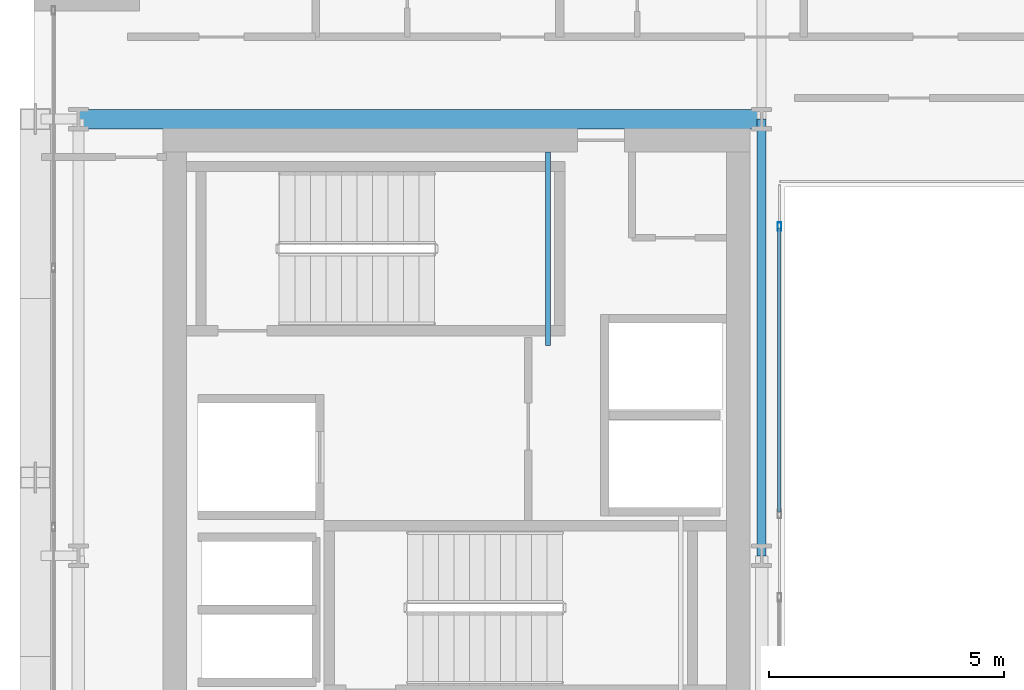
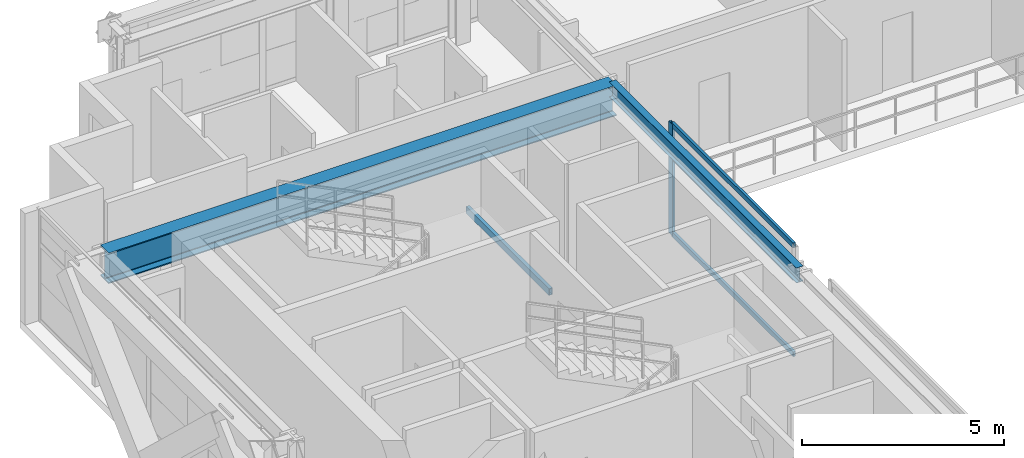
# One storey, part 11 of 37: 4 members, 3 beams, 1 element without a shape of its own.
"""IFC4 building model written with IfcOpenShell, lengths in metres."""

from ifc_helpers import new_model, si_unit, direction, frame, origin, origin_2d, place, context, subcontext, project, spatial, hollow_rectangle, i_section, extrude, source, transform, mapped, material, layer, layer_set, material_profile, profile_set, type_object, element, aggregate, save


model = new_model("IFC4")

# Units and contexts
model_context = context("Model", 3, precision=1e-05, world=origin(), true_north=direction((0.0, 1.0)))
body_context = subcontext(model_context, "Body", "Model", "MODEL_VIEW")
ifc_project = project(units=[si_unit("LENGTHUNIT", "METRE"), si_unit("AREAUNIT", "SQUARE_METRE"), si_unit("VOLUMEUNIT", "CUBIC_METRE"), si_unit("PLANEANGLEUNIT", "RADIAN"), si_unit("MASSUNIT", "GRAM", prefix="KILO")], contexts=[model_context])

# Site, building, storey
site_placement = place(None, origin())
site = spatial("IfcSite", under=ifc_project, at=site_placement, CompositionType="ELEMENT")
building_placement = place(site_placement, origin())
building = spatial("IfcBuilding", under=site, at=building_placement, Name="Ocotamira Hotel", CompositionType="ELEMENT")
storey_placement = place(building_placement, frame((0.0, 0.0, 192.0)))
storey = spatial("IfcBuildingStorey", under=building, at=storey_placement, Name="L48", CompositionType="ELEMENT", Elevation=192.0)

# Beams
ifc_material_1 = material(Name="Steel ASTM A500 Grade C", Category="steel")
ifc_material_profile_1 = material_profile(ifc_material_1, hollow_rectangle(XDim=0.10009765625, YDim=0.199951171875, WallThickness=0.008056640625, at=origin_2d()), Name="HSS200X100X8")
ifc_profile_set_1 = profile_set([ifc_material_profile_1], Name="Steel ASTM A500 Grade C")
beam_type_1 = type_object("IfcBeamType", Name="BM-STLDG-HSS200", PredefinedType="BEAM", material=ifc_profile_set_1)
shared_shape_1 = source(origin(), body_context, "Body", "SweptSolid", [
    extrude(hollow_rectangle(XDim=0.10009765625, YDim=0.199951171875, WallThickness=0.008056640625, at=origin_2d()), origin(), (0.0, 0.0, 1.0), 4.1201171875),
])
beam_1_placement = place(storey_placement, frame((18.949951171875, 32.6298828125, 1.5), z_axis=(0.0, 1.0, 0.0), x_axis=(-1.0, 0.0, 0.0)))
element("IfcBeam", 1, at=beam_1_placement, inside=storey, type_object=beam_type_1, Name="L48 Stair ST-2 Landing Bearer 1", PredefinedType="BEAM", context=body_context, shape_type="MappedRepresentation", body=[
    mapped(shared_shape_1, transform((0.0, 0.0, 0.0), scale=1.0)),
])
ifc_material_2 = material(Name="Steel ASTM A992 Grade 50", Category="steel")
ifc_material_profile_2 = material_profile(ifc_material_2, i_section(OverallWidth=0.41796875, OverallDepth=0.927001953125, WebThickness=0.019287109375, FlangeThickness=0.031982421875, FilletRadius=0.02392578125, at=origin_2d()), Name="W36X231")
ifc_profile_set_2 = profile_set([ifc_material_profile_2], Name="Steel ASTM A992 Grade 50")
beam_type_2 = type_object("IfcBeamType", Name="BM-GIRD-W36X231", PredefinedType="BEAM", material=ifc_profile_set_2)
shared_shape_2 = source(origin(), body_context, "Body", "SweptSolid", [
    extrude(i_section(OverallWidth=0.41796875, OverallDepth=0.927001953125, WebThickness=0.019287109375, FlangeThickness=0.031982421875, FilletRadius=0.02392578125, at=origin_2d()), origin(), (0.0, 0.0, 1.0), 14.550048828125),
])
beam_2_placement = place(storey_placement, frame((8.949951171875, 37.449951171875, 2.906494140625), z_axis=(1.0, 0.0, 0.0), x_axis=(0.0, 1.0, 0.0)))
element("IfcBeam", 2, at=beam_2_placement, inside=storey, type_object=beam_type_2, Name="L48 Girder Y37.45 X8.95-23.5", PredefinedType="BEAM", context=body_context, shape_type="MappedRepresentation", body=[
    mapped(shared_shape_2, transform((0.0, 0.0, 0.0), scale=1.0)),
])
ifc_material_profile_3 = material_profile(ifc_material_2, i_section(OverallWidth=0.18994140625, OverallDepth=0.45703125, WebThickness=0.009033203125, FlangeThickness=0.014404296875, FilletRadius=0.010009765625, at=origin_2d()), Name="W18X50")
ifc_profile_set_3 = profile_set([ifc_material_profile_3], Name="Steel ASTM A992 Grade 50")
beam_type_3 = type_object("IfcBeamType", Name="BM-SEC-W18X50", PredefinedType="JOIST", material=ifc_profile_set_3)
shared_shape_3 = source(origin(), body_context, "Body", "SweptSolid", [
    extrude(i_section(OverallWidth=0.18994140625, OverallDepth=0.45703125, WebThickness=0.009033203125, FlangeThickness=0.014404296875, FilletRadius=0.010009765625, at=origin_2d()), origin(), (0.0, 0.0, 1.0), 9.300048828125),
])
beam_3_placement = place(storey_placement, frame((23.5, 28.14990234375, 3.1416015625), z_axis=(0.0, 1.0, 0.0), x_axis=(-1.0, 0.0, 0.0)))
element("IfcBeam", 3, at=beam_3_placement, inside=storey, type_object=beam_type_3, Name="L48 Beam X23.5 Y28.15-37.45", PredefinedType="JOIST", context=body_context, shape_type="MappedRepresentation", body=[
    mapped(shared_shape_3, transform((0.0, 0.0, 0.0), scale=1.0)),
])

# Curtain wall, members
ifc_material_3 = material(Name="Anodised pale-metal aluminium and solar glass", Category="aluminium")
ifc_layer = layer(ifc_material_3, 0.159912109375)
ifc_layer_set = layer_set([ifc_layer], Name="Anodised pale-metal aluminium and solar glass")
curtain_wall_type = type_object("IfcCurtainWallType", Name="CW-SYS6-ATR", PredefinedType="NOTDEFINED", material=ifc_layer_set)
curtain_wall_placement = place(storey_placement, origin())
curtain_wall = element("IfcCurtainWall", 4, at=curtain_wall_placement, inside=storey, type_object=curtain_wall_type, Name="L48 Curtain Wall CW-6 CW-L48-ATRW2", PredefinedType="NOTDEFINED")
ifc_material_4 = material(Name="Anodised pale-metal aluminium 6063-T6", Category="aluminium")
ifc_material_profile_4 = material_profile(ifc_material_4, hollow_rectangle(XDim=0.080078125, YDim=0.179931640625, WallThickness=0.006103515625, at=origin_2d()), Name="HSS180X80X6")
ifc_profile_set_4 = profile_set([ifc_material_profile_4], Name="Anodised pale-metal aluminium 6063-T6")
member_type_1 = type_object("IfcMemberType", Name="CWM-180X75", PredefinedType="MULLION", material=ifc_profile_set_4)
shared_shape_4 = source(origin(), body_context, "Body", "SweptSolid", [
    extrude(hollow_rectangle(XDim=0.080078125, YDim=0.179931640625, WallThickness=0.006103515625, at=origin_2d()), origin(), (0.0, 0.0, 1.0), 3.3701171875),
])
member_1_placement = place(storey_placement, frame((23.8798828125, 35.159912109375, 0.0), z_axis=(0.0, 0.0, 1.0), x_axis=(-1.0, 0.0, 0.0)))
member_1 = element("IfcMember", 5, at=member_1_placement, type_object=member_type_1, Name="CW-6 mullion 2", PredefinedType="MULLION", context=body_context, shape_type="MappedRepresentation", body=[
    mapped(shared_shape_4, transform((0.0, 0.0, 0.0), scale=1.0)),
])
ifc_material_profile_5 = material_profile(ifc_material_4, hollow_rectangle(XDim=0.074951171875, YDim=0.14990234375, WallThickness=0.006103515625, at=origin_2d()), Name="HSS150X75X6")
ifc_profile_set_5 = profile_set([ifc_material_profile_5], Name="Anodised pale-metal aluminium 6063-T6")
member_type_2 = type_object("IfcMemberType", Name="CWT-150X75", PredefinedType="USERDEFINED", material=ifc_profile_set_5)
shared_shape_5 = source(origin(), body_context, "Body", "SweptSolid", [
    extrude(hollow_rectangle(XDim=0.074951171875, YDim=0.14990234375, WallThickness=0.006103515625, at=origin_2d()), origin(), (0.0, 0.0, 1.0), 6.0400390625),
])
member_2_placement = place(storey_placement, frame((23.8798828125, 29.080078125, 0.03759765625), z_axis=(0.0, 1.0, 0.0), x_axis=(-1.0, 0.0, 0.0)))
member_2 = element("IfcMember", 6, at=member_2_placement, type_object=member_type_2, Name="CW-6 transom 1.1", ObjectType="TRANSOM", PredefinedType="USERDEFINED", context=body_context, shape_type="MappedRepresentation", body=[
    mapped(shared_shape_5, transform((0.0, 0.0, 0.0), scale=1.0)),
])
member_3_placement = place(storey_placement, frame((23.8798828125, 29.080078125, 2.35009765625), z_axis=(0.0, 1.0, 0.0), x_axis=(-1.0, 0.0, 0.0)))
member_3 = element("IfcMember", 7, at=member_3_placement, type_object=member_type_2, Name="CW-6 transom 1.2", ObjectType="TRANSOM", PredefinedType="USERDEFINED", context=body_context, shape_type="MappedRepresentation", body=[
    mapped(shared_shape_5, transform((0.0, 0.0, 0.0), scale=1.0)),
])
member_4_placement = place(storey_placement, frame((23.8798828125, 29.080078125, 3.33251953125), z_axis=(0.0, 1.0, 0.0), x_axis=(-1.0, 0.0, 0.0)))
member_4 = element("IfcMember", 8, at=member_4_placement, type_object=member_type_2, Name="CW-6 transom 1.3", ObjectType="TRANSOM", PredefinedType="USERDEFINED", context=body_context, shape_type="MappedRepresentation", body=[
    mapped(shared_shape_5, transform((0.0, 0.0, 0.0), scale=1.0)),
])
aggregate(curtain_wall, [member_1, member_2, member_3, member_4])

save(model, "model.ifc")
